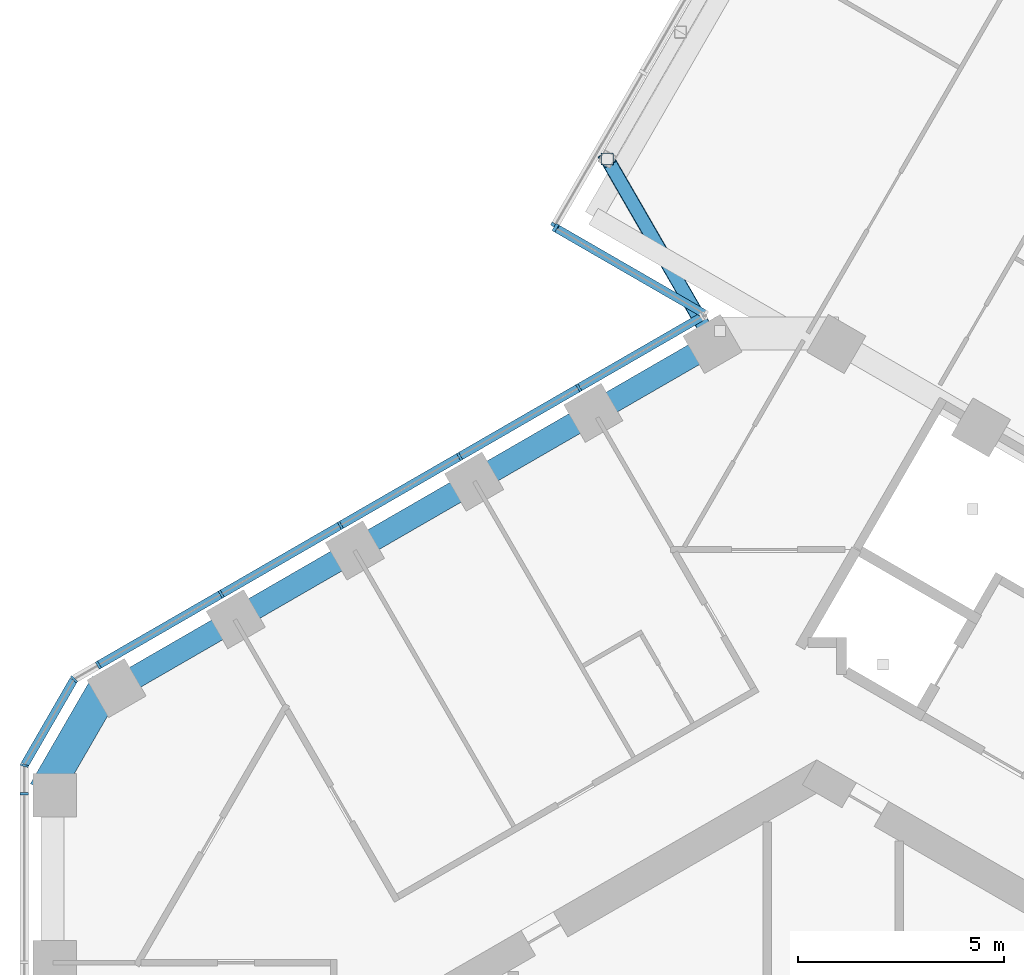
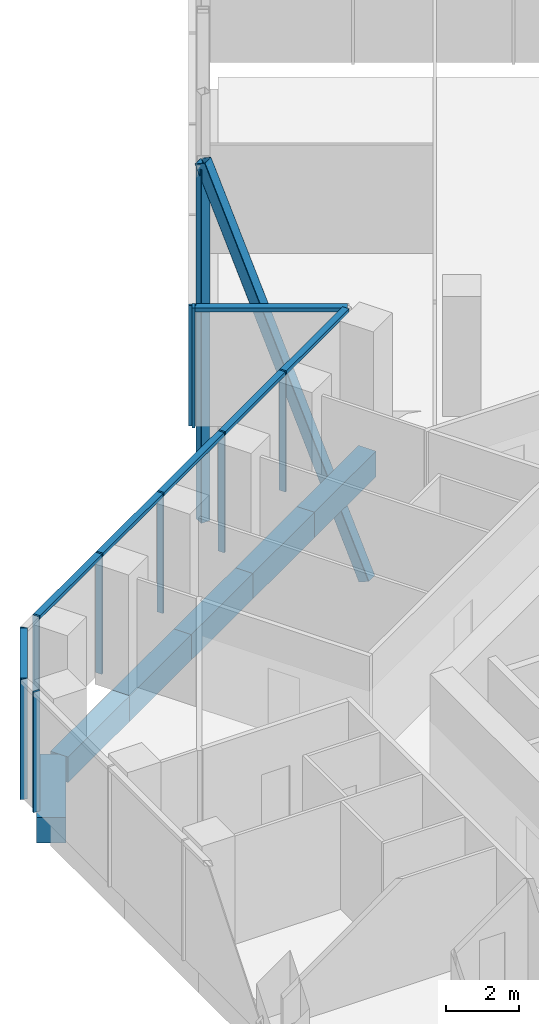
# One storey, part 6 of 25: 15 members, 6 beams, 5 elements without a shape of their own.
"""IFC4 building model written with IfcOpenShell, lengths in metres."""

from ifc_helpers import new_model, si_unit, direction, frame, origin, origin_2d, place, context, subcontext, project, spatial, rectangle, hollow_rectangle, extrude, material, layer, layer_set, material_profile, profile_set, type_object, element, aggregate, save


model = new_model("IFC4")

# Units and contexts
model_context = context("Model", 3, precision=1e-05, world=origin(), true_north=direction((0.0, 1.0)))
body_context = subcontext(model_context, "Body", "Model", "MODEL_VIEW")
ifc_project = project(units=[si_unit("LENGTHUNIT", "METRE"), si_unit("AREAUNIT", "SQUARE_METRE"), si_unit("VOLUMEUNIT", "CUBIC_METRE"), si_unit("PLANEANGLEUNIT", "RADIAN"), si_unit("MASSUNIT", "GRAM", prefix="KILO")], contexts=[model_context])

# Site, building, storey
site_placement = place(None, origin())
site = spatial("IfcSite", under=ifc_project, at=site_placement, CompositionType="ELEMENT")
building_placement = place(site_placement, origin())
building = spatial("IfcBuilding", under=site, at=building_placement, Name="Ayvan Gate Tower", CompositionType="ELEMENT")
storey_placement = place(building_placement, frame((0.0, 0.0, 139.89990234375)))
storey = spatial("IfcBuildingStorey", under=building, at=storey_placement, Name="L37", CompositionType="ELEMENT", Elevation=139.89990234375)

# Beam
ifc_material_1 = material(Name="Concrete C40/50", Category="concrete")
ifc_material_profile_1 = material_profile(ifc_material_1, rectangle(XDim=0.800048828125, YDim=0.85009765625, at=origin_2d()), Name="RC 800x850")
ifc_profile_set_1 = profile_set([ifc_material_profile_1], Name="Concrete C40/50")
beam_type_1 = type_object("IfcBeamType", Name="Corner spandrel beam RC 800x850 C40/50", PredefinedType="BEAM", material=ifc_profile_set_1)
beam_placement = place(storey_placement, frame((-17.198974609375, 12.7900390625, -0.824951171875), z_axis=(-0.50002537861, -0.866010750942, 0.0), x_axis=(0.866010750942, -0.50002537861, 0.0)))
element("IfcBeam", 1, at=beam_placement, inside=storey, type_object=beam_type_1, Name="SB-L37-18", PredefinedType="BEAM", context=body_context, shape_type="SweptSolid", body=[
    extrude(rectangle(XDim=0.800048828125, YDim=0.85009765625, at=origin_2d()), origin(), (0.0, 0.0, 1.0), 2.999755859375),
])

# Members
ifc_material_2 = material(Name="Steel S460NH", Category="steel")
ifc_material_profile_2 = material_profile(ifc_material_2, hollow_rectangle(XDim=0.35009765625, YDim=0.35009765625, WallThickness=0.01611328125, InnerFilletRadius=0.01611328125, OuterFilletRadius=0.02392578125, at=origin_2d()), Name="RHS 350x350x16")
ifc_profile_set_2 = profile_set([ifc_material_profile_2], Name="Steel S460NH")
member_type_1 = type_object("IfcMemberType", Name="Sky bar truss brace B3 RHS 350x350x16", PredefinedType="BRACE", material=ifc_profile_set_2)
member_1_placement = place(storey_placement, frame((-2.498046875, 21.0576171875, -4.724853515625), z_axis=(-0.195922016049, 0.339327130127, 0.920038946125), x_axis=(-0.86601279846, -0.500021832428, 0.0)))
element("IfcMember", 2, at=member_1_placement, inside=storey, type_object=member_type_1, Name="SBX3-A-D-1", PredefinedType="BRACE", context=body_context, shape_type="SweptSolid", body=[
    extrude(hollow_rectangle(XDim=0.35009765625, YDim=0.35009765625, WallThickness=0.01611328125, InnerFilletRadius=0.01611328125, OuterFilletRadius=0.02392578125, at=origin_2d()), origin(), (0.0, 0.0, 1.0), 13.1513671875),
])
ifc_material_profile_3 = material_profile(ifc_material_2, hollow_rectangle(XDim=0.300048828125, YDim=0.300048828125, WallThickness=0.01611328125, InnerFilletRadius=0.01611328125, OuterFilletRadius=0.02392578125, at=origin_2d()), Name="RHS 300x300x16")
ifc_profile_set_3 = profile_set([ifc_material_profile_3], Name="Steel S460NH")
member_type_2 = type_object("IfcMemberType", Name="Sky bar truss post B3 RHS 300x300x16", PredefinedType="POST", material=ifc_profile_set_3)
member_2_placement = place(storey_placement, frame((-5.07470703125, 25.520263671875, -4.5498046875), z_axis=(0.0, 0.0, 1.0), x_axis=(1.0, 0.0, 0.0)))
element("IfcMember", 3, at=member_2_placement, inside=storey, type_object=member_type_2, Name="SBX3-A-P-1", PredefinedType="POST", context=body_context, shape_type="SweptSolid", body=[
    extrude(hollow_rectangle(XDim=0.300048828125, YDim=0.300048828125, WallThickness=0.01611328125, InnerFilletRadius=0.01611328125, OuterFilletRadius=0.02392578125, at=origin_2d()), origin(), (0.0, 0.0, 1.0), 11.75),
])

# Beams
ifc_material_profile_4 = material_profile(ifc_material_1, rectangle(XDim=0.550048828125, YDim=0.85009765625, at=origin_2d()), Name="RC 550x850")
ifc_profile_set_4 = profile_set([ifc_material_profile_4], Name="Concrete C40/50")
beam_type_2 = type_object("IfcBeamType", Name="Spandrel beam RC 550x850 C40/50", PredefinedType="BEAM", material=ifc_profile_set_4)
for number, where, z_axis, x_axis, name in (
    (4, (-2.47705078125, 21.06982421875, -0.824951171875), (-0.866018397847, -0.500012134443, 0.0), (0.500012134443, -0.866018397847, 0.0), "SB-L37-13"),
    (5, (-5.38330078125, 19.391845703125, -0.824951171875), (-0.866018397847, -0.500012134443, 0.0), (0.500012134443, -0.866018397847, 0.0), "SB-L37-14"),
    (6, (-8.28955078125, 17.7138671875, -0.824951171875), (-0.866068082952, -0.499926070226, 0.0), (0.499926070226, -0.866068082952, 0.0), "SB-L37-15"),
    (7, (-11.196044921875, 16.0361328125, -0.824951171875), (-0.866018397847, -0.500012134443, 0.0), (0.500012134443, -0.866018397847, 0.0), "SB-L37-16"),
    (8, (-14.102294921875, 14.358154296875, -0.824951171875), (-0.866018397847, -0.500012134443, 0.0), (0.500012134443, -0.866018397847, 0.0), "SB-L37-17"),
):
    element("IfcBeam", number, at=place(storey_placement, frame(where, z_axis=z_axis, x_axis=x_axis)), inside=storey, type_object=beam_type_2, Name=name, PredefinedType="BEAM", context=body_context, shape_type="SweptSolid", body=[
        extrude(rectangle(XDim=0.550048828125, YDim=0.85009765625, at=origin_2d()), origin(), (0.0, 0.0, 1.0), 3.35595703125),
    ])

# Curtain wall, members
ifc_material_3 = material(Name="Bronze anodised aluminium", Category="aluminium")
ifc_layer_1 = layer(ifc_material_3, 0.199951171875)
ifc_layer_set_1 = layer_set([ifc_layer_1], Name="Bronze anodised aluminium")
curtain_wall_type_1 = type_object("IfcCurtainWallType", Name="Stick curtain wall CW-1", PredefinedType="NOTDEFINED", material=ifc_layer_set_1)
curtain_wall_1_placement = place(storey_placement, origin())
curtain_wall_1 = element("IfcCurtainWall", 9, at=curtain_wall_1_placement, inside=storey, type_object=curtain_wall_type_1, Name="Stick curtain wall CW-1 L37", PredefinedType="NOTDEFINED")
ifc_material_profile_5 = material_profile(ifc_material_3, rectangle(XDim=0.199951171875, YDim=0.06005859375, at=origin_2d()), Name="Stick curtain wall CW-1 mullion 200 x 60")
ifc_profile_set_5 = profile_set([ifc_material_profile_5], Name="Bronze anodised aluminium")
member_type_3 = type_object("IfcMemberType", Name="Stick curtain wall CW-1 mullion 200 x 60", PredefinedType="MULLION", material=ifc_profile_set_5)
member_3_placement = place(storey_placement, frame((-5.76318359375, 19.98095703125, 0.0), z_axis=(0.0, 0.0, 1.0), x_axis=(-0.5, 0.866025403784, 0.0)))
member_3 = element("IfcMember", 10, at=member_3_placement, type_object=member_type_3, Name="CW-1 mullion 2", PredefinedType="MULLION", context=body_context, shape_type="SweptSolid", body=[
    extrude(rectangle(XDim=0.199951171875, YDim=0.06005859375, at=origin_2d()), origin(), (0.0, 0.0, 1.0), 4.0),
])
member_4_placement = place(storey_placement, frame((-8.649658203125, 18.314453125, 0.0), z_axis=(0.0, 0.0, 1.0), x_axis=(-0.5, 0.866025403784, 0.0)))
member_4 = element("IfcMember", 11, at=member_4_placement, type_object=member_type_3, Name="CW-1 mullion 3", PredefinedType="MULLION", context=body_context, shape_type="SweptSolid", body=[
    extrude(rectangle(XDim=0.199951171875, YDim=0.06005859375, at=origin_2d()), origin(), (0.0, 0.0, 1.0), 4.0),
])
member_5_placement = place(storey_placement, frame((-11.5361328125, 16.64794921875, 0.0), z_axis=(0.0, 0.0, 1.0), x_axis=(-0.5, 0.866025403784, 0.0)))
member_5 = element("IfcMember", 12, at=member_5_placement, type_object=member_type_3, Name="CW-1 mullion 4", PredefinedType="MULLION", context=body_context, shape_type="SweptSolid", body=[
    extrude(rectangle(XDim=0.199951171875, YDim=0.06005859375, at=origin_2d()), origin(), (0.0, 0.0, 1.0), 4.0),
])
member_6_placement = place(storey_placement, frame((-14.422607421875, 14.9814453125, 0.0), z_axis=(0.0, 0.0, 1.0), x_axis=(-0.5, 0.866025403784, 0.0)))
member_6 = element("IfcMember", 13, at=member_6_placement, type_object=member_type_3, Name="CW-1 mullion 5", PredefinedType="MULLION", context=body_context, shape_type="SweptSolid", body=[
    extrude(rectangle(XDim=0.199951171875, YDim=0.06005859375, at=origin_2d()), origin(), (0.0, 0.0, 1.0), 4.0),
])
member_7_placement = place(storey_placement, frame((-17.39794921875, 13.263671875, 0.0), z_axis=(0.0, 0.0, 1.0), x_axis=(-0.5, 0.866025403784, 0.0)))
member_7 = element("IfcMember", 14, at=member_7_placement, type_object=member_type_3, Name="CW-1 mullion 6", PredefinedType="MULLION", context=body_context, shape_type="SweptSolid", body=[
    extrude(rectangle(XDim=0.199951171875, YDim=0.06005859375, at=origin_2d()), origin(), (0.0, 0.0, 1.0), 4.0),
])

# Curtain wall, member
curtain_wall_2_placement = place(storey_placement, origin())
curtain_wall_2 = element("IfcCurtainWall", 15, at=curtain_wall_2_placement, inside=storey, type_object=curtain_wall_type_1, Name="Stick curtain wall CW-1 L37", PredefinedType="NOTDEFINED")
member_8_placement = place(storey_placement, frame((-19.194091796875, 10.152587890625, 0.0), z_axis=(0.0, 0.0, 1.0), x_axis=(-1.0, 0.0, 0.0)))
member_8 = element("IfcMember", 16, at=member_8_placement, type_object=member_type_3, Name="CW-1 mullion 1", PredefinedType="MULLION", context=body_context, shape_type="SweptSolid", body=[
    extrude(rectangle(XDim=0.199951171875, YDim=0.06005859375, at=origin_2d()), origin(), (0.0, 0.0, 1.0), 4.0),
])
aggregate(curtain_wall_2, [member_8])

# Member
ifc_material_profile_6 = material_profile(ifc_material_3, rectangle(XDim=0.199951171875, YDim=0.1201171875, at=origin_2d()), Name="Stick curtain wall CW-1 transom 200 x 120")
ifc_profile_set_6 = profile_set([ifc_material_profile_6], Name="Bronze anodised aluminium")
member_type_4 = type_object("IfcMemberType", Name="Stick curtain wall CW-1 transom 200 x 120", PredefinedType="USERDEFINED", material=ifc_profile_set_6)
member_9_placement = place(storey_placement, frame((-2.78759765625, 21.698974609375, 3.940185546875), z_axis=(-0.866025087395, -0.500000548001, 0.0), x_axis=(0.500000548001, -0.866025087395, 0.0)))
member_9 = element("IfcMember", 17, at=member_9_placement, type_object=member_type_4, Name="CW-1 transom 1", ObjectType="TRANSOM", PredefinedType="USERDEFINED", context=body_context, shape_type="SweptSolid", body=[
    extrude(rectangle(XDim=0.199951171875, YDim=0.1201171875, at=origin_2d()), origin(), (0.0, 0.0, 1.0), 16.87060546875),
])

aggregate(curtain_wall_1, [member_3, member_4, member_5, member_6, member_7, member_9])

# Curtain wall, member
ifc_layer_2 = layer(ifc_material_3, 0.199951171875)
ifc_layer_set_2 = layer_set([ifc_layer_2], Name="Bronze anodised aluminium")
curtain_wall_type_2 = type_object("IfcCurtainWallType", Name="Stick curtain wall CW-4", PredefinedType="NOTDEFINED", material=ifc_layer_set_2)
curtain_wall_3_placement = place(storey_placement, origin())
curtain_wall_3 = element("IfcCurtainWall", 18, at=curtain_wall_3_placement, inside=storey, type_object=curtain_wall_type_2, Name="Stick curtain wall CW-4 L37", PredefinedType="NOTDEFINED")
ifc_material_profile_7 = material_profile(ifc_material_3, rectangle(XDim=0.199951171875, YDim=0.080078125, at=origin_2d()), Name="Stick curtain wall CW-4 mullion 200 x 80")
ifc_profile_set_7 = profile_set([ifc_material_profile_7], Name="Bronze anodised aluminium")
member_type_5 = type_object("IfcMemberType", Name="Stick curtain wall CW-4 mullion 200 x 80", PredefinedType="MULLION", material=ifc_profile_set_7)
member_10_placement = place(storey_placement, frame((-6.344970703125, 23.909912109375, 0.0), z_axis=(0.0, 0.0, 1.0), x_axis=(-0.866025403784, 0.5, 0.0)))
member_10 = element("IfcMember", 19, at=member_10_placement, type_object=member_type_5, Name="CW-4 mullion 5", PredefinedType="MULLION", context=body_context, shape_type="SweptSolid", body=[
    extrude(rectangle(XDim=0.199951171875, YDim=0.080078125, at=origin_2d()), origin(), (0.0, 0.0, 1.0), 4.0),
])
aggregate(curtain_wall_3, [member_10])

# Curtain wall, members
curtain_wall_4_placement = place(storey_placement, origin())
curtain_wall_4 = element("IfcCurtainWall", 20, at=curtain_wall_4_placement, inside=storey, type_object=curtain_wall_type_2, Name="Stick curtain wall CW-4 L37", PredefinedType="NOTDEFINED")
member_11_placement = place(storey_placement, frame((-6.330322265625, 23.85546875, 0.0), z_axis=(0.0, 0.0, 1.0), x_axis=(-0.5, -0.866025403784, 0.0)))
member_11 = element("IfcMember", 21, at=member_11_placement, type_object=member_type_5, Name="CW-4 mullion 1", PredefinedType="MULLION", context=body_context, shape_type="SweptSolid", body=[
    extrude(rectangle(XDim=0.199951171875, YDim=0.080078125, at=origin_2d()), origin(), (0.0, 0.0, 1.0), 4.0),
])
ifc_material_profile_8 = material_profile(ifc_material_3, rectangle(XDim=0.199951171875, YDim=0.139892578125, at=origin_2d()), Name="Stick curtain wall CW-4 transom 200 x 140")
ifc_profile_set_8 = profile_set([ifc_material_profile_8], Name="Bronze anodised aluminium")
member_type_6 = type_object("IfcMemberType", Name="Stick curtain wall CW-4 transom 200 x 140", PredefinedType="USERDEFINED", material=ifc_profile_set_8)
member_12_placement = place(storey_placement, frame((-6.330322265625, 23.85546875, 3.93017578125), z_axis=(0.866001286275, -0.500041770425, 0.0), x_axis=(0.500041770425, 0.866001286275, 0.0)))
member_12 = element("IfcMember", 22, at=member_12_placement, type_object=member_type_6, Name="CW-4 transom 1", ObjectType="TRANSOM", PredefinedType="USERDEFINED", context=body_context, shape_type="SweptSolid", body=[
    extrude(rectangle(XDim=0.199951171875, YDim=0.139892578125, at=origin_2d()), origin(), (0.0, 0.0, 1.0), 4.191650390625),
])
aggregate(curtain_wall_4, [member_11, member_12])

ifc_layer_3 = layer(ifc_material_3, 0.199951171875)
ifc_layer_set_3 = layer_set([ifc_layer_3], Name="Bronze anodised aluminium")
curtain_wall_type_3 = type_object("IfcCurtainWallType", Name="Stick curtain wall CW-6", PredefinedType="NOTDEFINED", material=ifc_layer_set_3)
curtain_wall_5_placement = place(storey_placement, origin())
curtain_wall_5 = element("IfcCurtainWall", 23, at=curtain_wall_5_placement, inside=storey, type_object=curtain_wall_type_3, Name="Stick curtain wall CW-6 L37", PredefinedType="NOTDEFINED")
ifc_material_profile_9 = material_profile(ifc_material_3, rectangle(XDim=0.199951171875, YDim=0.050048828125, at=origin_2d()), Name="Stick curtain wall CW-6 mullion 200 x 50")
ifc_profile_set_9 = profile_set([ifc_material_profile_9], Name="Bronze anodised aluminium")
member_type_7 = type_object("IfcMemberType", Name="Stick curtain wall CW-6 mullion 200 x 50", PredefinedType="MULLION", material=ifc_profile_set_9)
member_13_placement = place(storey_placement, frame((-17.98681640625, 12.923583984375, 0.0), z_axis=(0.0, 0.0, 1.0), x_axis=(-0.707106781187, 0.707106781187, 0.0)))
member_13 = element("IfcMember", 24, at=member_13_placement, type_object=member_type_7, Name="CW-6 mullion 2", PredefinedType="MULLION", context=body_context, shape_type="SweptSolid", body=[
    extrude(rectangle(XDim=0.199951171875, YDim=0.050048828125, at=origin_2d()), origin(), (0.0, 0.0, 1.0), 4.0),
])
member_14_placement = place(storey_placement, frame((-19.194091796875, 10.83251953125, 0.0), z_axis=(0.0, 0.0, 1.0), x_axis=(-0.965925826289, 0.258819045103, 0.0)))
member_14 = element("IfcMember", 25, at=member_14_placement, type_object=member_type_7, Name="CW-6 mullion 3", PredefinedType="MULLION", context=body_context, shape_type="SweptSolid", body=[
    extrude(rectangle(XDim=0.199951171875, YDim=0.050048828125, at=origin_2d()), origin(), (0.0, 0.0, 1.0), 4.0),
])
ifc_material_profile_10 = material_profile(ifc_material_3, rectangle(XDim=0.199951171875, YDim=0.1201171875, at=origin_2d()), Name="Stick curtain wall CW-6 transom 200 x 120")
ifc_profile_set_10 = profile_set([ifc_material_profile_10], Name="Bronze anodised aluminium")
member_type_8 = type_object("IfcMemberType", Name="Stick curtain wall CW-6 transom 200 x 120", PredefinedType="USERDEFINED", material=ifc_profile_set_10)
member_15_placement = place(storey_placement, frame((-17.999267578125, 12.90185546875, 3.940185546875), z_axis=(-0.500059108572, -0.865991274745, 0.0), x_axis=(0.865991274745, -0.500059108572, 0.0)))
member_15 = element("IfcMember", 26, at=member_15_placement, type_object=member_type_8, Name="CW-6 transom 2", ObjectType="TRANSOM", PredefinedType="USERDEFINED", context=body_context, shape_type="SweptSolid", body=[
    extrude(rectangle(XDim=0.199951171875, YDim=0.1201171875, at=origin_2d()), origin(), (0.0, 0.0, 1.0), 2.364501953125),
])
aggregate(curtain_wall_5, [member_13, member_14, member_15])

save(model, "model.ifc")
